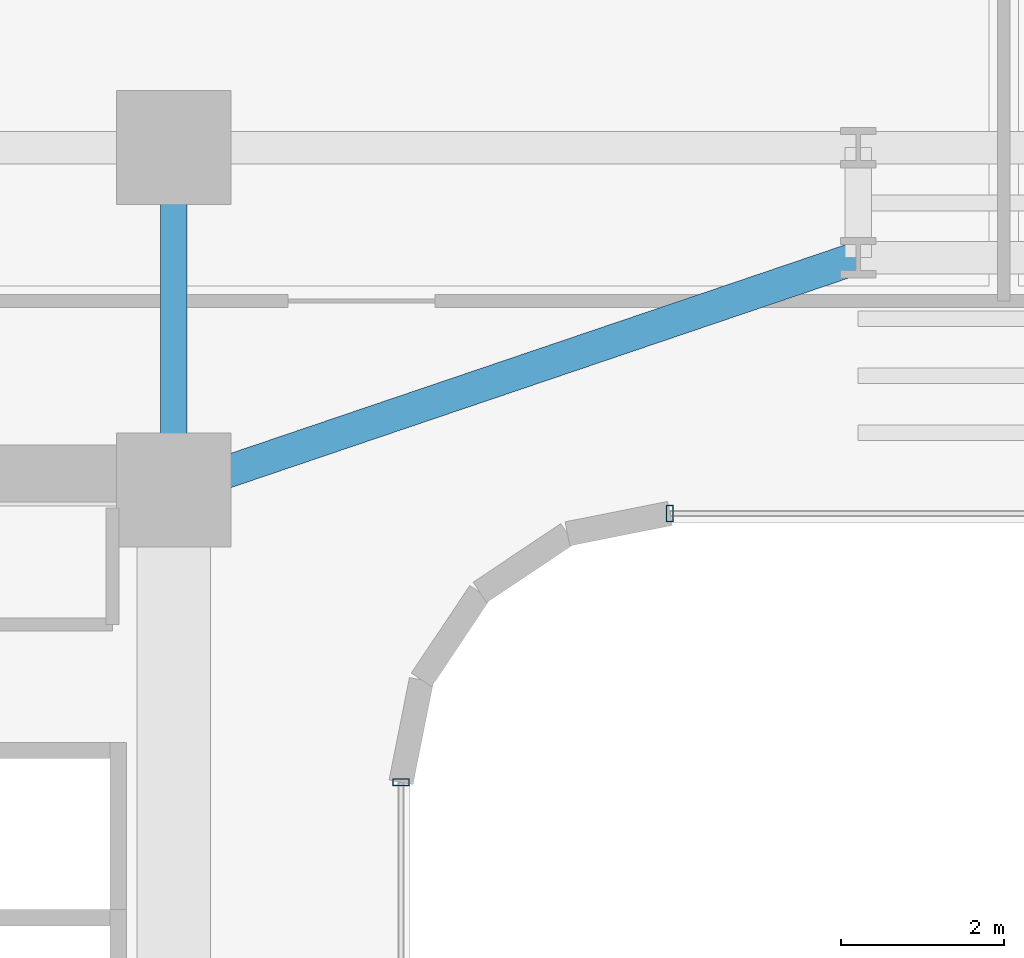
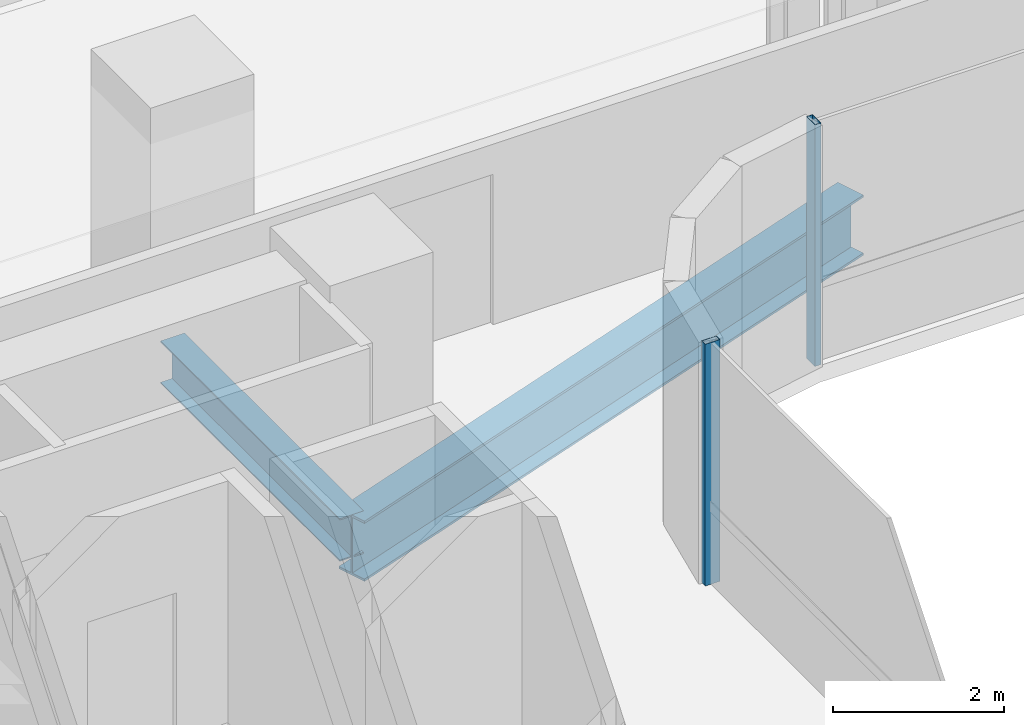
# One storey, part 12 of 40: 2 beams, 2 members, 2 elements without a shape of their own.
"""IFC4 building model written with IfcOpenShell, lengths in metres."""

from ifc_helpers import new_model, si_unit, direction, frame, origin, origin_2d, place, context, subcontext, project, spatial, hollow_rectangle, i_section, extrude, source, transform, mapped, material, material_profile, profile_set, type_object, element, aggregate, save


model = new_model("IFC4")

# Units and contexts
model_context = context("Model", 3, precision=1e-05, world=origin(), true_north=direction((0.0, 1.0)))
body_context = subcontext(model_context, "Body", "Model", "MODEL_VIEW")
ifc_project = project(units=[si_unit("LENGTHUNIT", "METRE"), si_unit("AREAUNIT", "SQUARE_METRE"), si_unit("VOLUMEUNIT", "CUBIC_METRE"), si_unit("PLANEANGLEUNIT", "RADIAN"), si_unit("MASSUNIT", "GRAM", prefix="KILO")], contexts=[model_context])

# Site, building, storey
site_placement = place(None, origin())
site = spatial("IfcSite", under=ifc_project, at=site_placement, CompositionType="ELEMENT")
building_placement = place(site_placement, origin())
building = spatial("IfcBuilding", under=site, at=building_placement, Name="Valdorenza Pilgrim Sanctuary Tower", CompositionType="ELEMENT")
storey_placement = place(building_placement, frame((0.0, 0.0, 66.699951171875)))
storey = spatial("IfcBuildingStorey", under=building, at=storey_placement, Name="L16", CompositionType="ELEMENT", Elevation=66.699951171875)

# Beams
ifc_material_1 = material(Name="Steel ASTM A992 Grade 50", Category="steel")
ifc_material_profile_1 = material_profile(ifc_material_1, i_section(OverallWidth=0.323974609375, OverallDepth=0.611083984375, WebThickness=0.0126953125, FlangeThickness=0.01904296875, at=origin_2d()), Name="W24X104")
ifc_profile_set_1 = profile_set([ifc_material_profile_1], Name="Steel ASTM A992 Grade 50")
beam_type_1 = type_object("IfcBeamType", Name="STR-BM-GRD-W24B", PredefinedType="BEAM", material=ifc_profile_set_1)
shared_shape_1 = source(origin(), body_context, "Body", "SweptSolid", [
    extrude(i_section(OverallWidth=0.323974609375, OverallDepth=0.611083984375, WebThickness=0.0126953125, FlangeThickness=0.01904296875, at=origin_2d()), origin(), (0.0, 0.0, 1.0), 4.199951171875),
])
beam_1_placement = place(storey_placement, frame((-12.39990234375, 10.60009765625, -0.54541015625), z_axis=(0.0, 1.0, 0.0), x_axis=(-1.0, 0.0, 0.0)))
element("IfcBeam", 1, at=beam_1_placement, inside=storey, type_object=beam_type_1, Name="L16 Core Tie Girder CA-E-N1N2", PredefinedType="BEAM", context=body_context, shape_type="MappedRepresentation", body=[
    mapped(shared_shape_1, transform((0.0, 0.0, 0.0), x_axis=(1.0, 0.0, 0.0), y_axis=(0.0, 1.0, 0.0), z_axis=(0.0, 0.0, 1.0), scale=1.0)),
])
ifc_material_profile_2 = material_profile(ifc_material_1, i_section(OverallWidth=0.39990234375, OverallDepth=0.862060546875, WebThickness=0.019775390625, FlangeThickness=0.032470703125, at=origin_2d()), Name="W33X221")
ifc_profile_set_2 = profile_set([ifc_material_profile_2], Name="Steel ASTM A992 Grade 50")
beam_type_2 = type_object("IfcBeamType", Name="STR-BM-GRD-W33", PredefinedType="BEAM", material=ifc_profile_set_2)
shared_shape_2 = source(origin(), body_context, "Body", "SweptSolid", [
    extrude(i_section(OverallWidth=0.39990234375, OverallDepth=0.862060546875, WebThickness=0.019775390625, FlangeThickness=0.032470703125, at=origin_2d()), origin(), (0.0, 0.0, 1.0), 8.8701171875),
])
beam_2_placement = place(storey_placement, frame((-12.39990234375, 10.60009765625, -0.6708984375), z_axis=(0.946982588361, 0.321284885018, 0.0), x_axis=(-0.321284885018, 0.946982588361, 0.0)))
element("IfcBeam", 2, at=beam_2_placement, inside=storey, type_object=beam_type_2, Name="L16 Floor Girder KNK-G1", PredefinedType="BEAM", context=body_context, shape_type="MappedRepresentation", body=[
    mapped(shared_shape_2, transform((0.0, 0.0, 0.0), x_axis=(1.0, 0.0, 0.0), y_axis=(0.0, 1.0, 0.0), z_axis=(0.0, 0.0, 1.0), scale=1.0)),
])

# Curtain wall, member
ifc_material_2 = material(Name="Curtain-wall IGU glazing", Category="glass")
curtain_wall_type = type_object("IfcCurtainWallType", Name="CW-SYS-02", PredefinedType="NOTDEFINED", material=ifc_material_2)
curtain_wall_1_placement = place(storey_placement, origin())
curtain_wall_1 = element("IfcCurtainWall", 3, at=curtain_wall_1_placement, inside=storey, type_object=curtain_wall_type, Name="L16 Curtain Wall CW-L16-1-36", PredefinedType="NOTDEFINED")
ifc_material_3 = material(Name="Anodised aluminium AW-6060", Category="aluminium")
ifc_material_profile_3 = material_profile(ifc_material_3, hollow_rectangle(XDim=0.0849609375, YDim=0.199951171875, WallThickness=0.0048828125, at=origin_2d()), Name="ALU-M 200x85x5")
ifc_profile_set_3 = profile_set([ifc_material_profile_3], Name="Anodised aluminium AW-6060")
member_type = type_object("IfcMemberType", Name="CW-MUL-02", PredefinedType="MULLION", material=ifc_profile_set_3)
shared_shape_3 = source(origin(), body_context, "Body", "SweptSolid", [
    extrude(hollow_rectangle(XDim=0.0849609375, YDim=0.199951171875, WallThickness=0.0048828125, at=origin_2d()), origin(), (0.0, 0.0, 1.0), 3.4599609375),
])
member_1_placement = place(storey_placement, frame((-6.310791015625, 10.31005859375, 0.0), z_axis=(0.0, 0.0, 1.0), x_axis=(-1.0, 0.0, 0.0)))
member_1 = element("IfcMember", 4, at=member_1_placement, type_object=member_type, Name="CW-L16-1-36 Mullion 4", PredefinedType="MULLION", context=body_context, shape_type="MappedRepresentation", body=[
    mapped(shared_shape_3, transform((0.0, 0.0, 0.0), x_axis=(1.0, 0.0, 0.0), y_axis=(0.0, 1.0, 0.0), z_axis=(0.0, 0.0, 1.0), scale=1.0)),
])
aggregate(curtain_wall_1, [member_1])

curtain_wall_2_placement = place(storey_placement, origin())
curtain_wall_2 = element("IfcCurtainWall", 5, at=curtain_wall_2_placement, inside=storey, type_object=curtain_wall_type, Name="L16 Curtain Wall CW-L16-1-41", PredefinedType="NOTDEFINED")
member_2_placement = place(storey_placement, frame((-9.610107421875, 7.0107421875, 0.0), z_axis=(0.0, 0.0, 1.0), x_axis=(0.0, -1.0, 0.0)))
member_2 = element("IfcMember", 6, at=member_2_placement, type_object=member_type, Name="CW-L16-1-41 Mullion 1", PredefinedType="MULLION", context=body_context, shape_type="MappedRepresentation", body=[
    mapped(shared_shape_3, transform((0.0, 0.0, 0.0), x_axis=(1.0, 0.0, 0.0), y_axis=(0.0, 1.0, 0.0), z_axis=(0.0, 0.0, 1.0), scale=1.0)),
])
aggregate(curtain_wall_2, [member_2])

save(model, "model.ifc")
